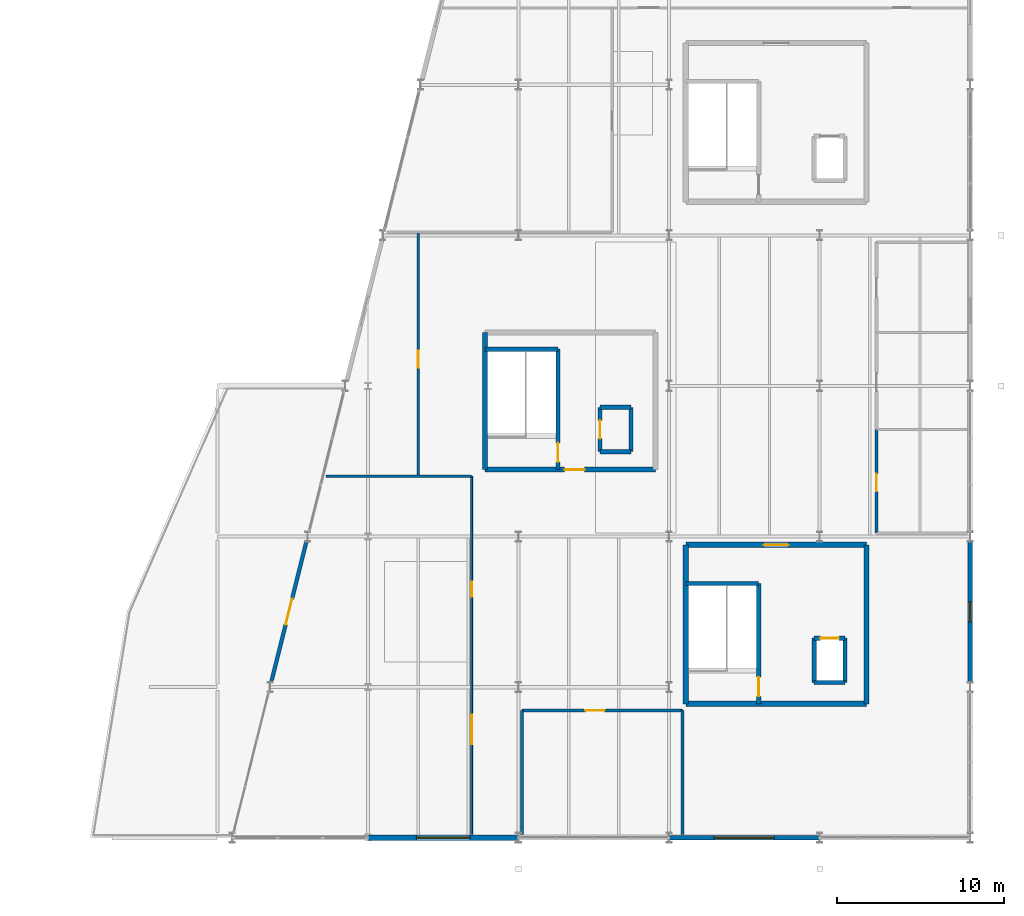
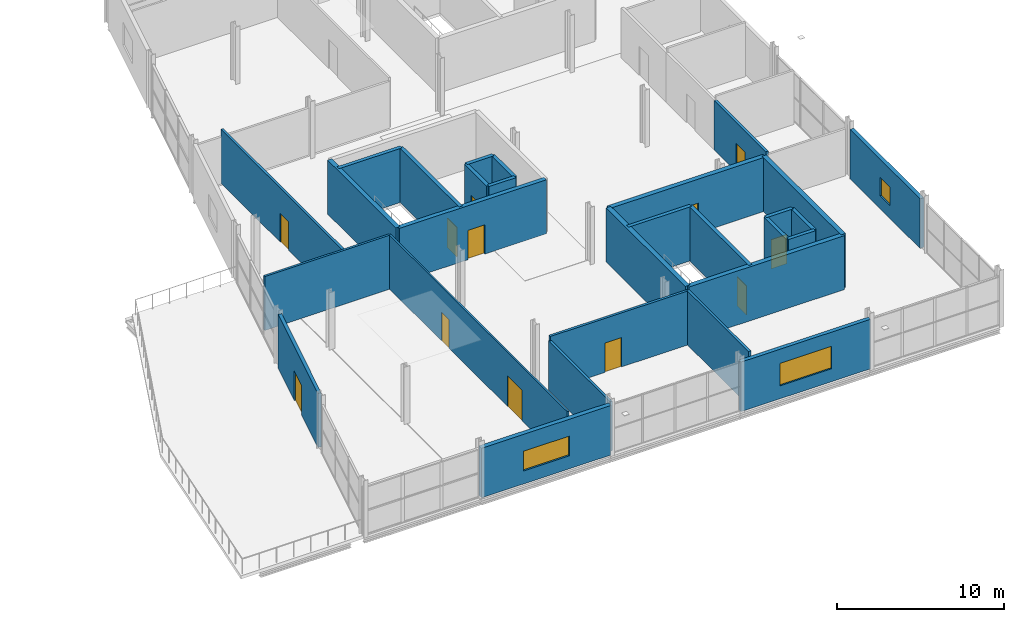
# One storey, part 41 of 44: 29 walls, 12 doors, 3 windows, 15 openings.
"""IFC4 building model written with IfcOpenShell, lengths in metres."""

from ifc_helpers import new_model, si_unit, direction, frame, frame_2d, origin, place, context, subcontext, project, spatial, rectangle, extrude, material, layer, layer_set, type_object, element, fill, save


model = new_model("IFC4")

# Units and contexts
model_context = context("Model", 3, precision=1e-05, world=origin(), true_north=direction((0.0, 1.0)))
body_context = subcontext(model_context, "Body", "Model", "MODEL_VIEW")
ifc_project = project(units=[si_unit("LENGTHUNIT", "METRE"), si_unit("AREAUNIT", "SQUARE_METRE"), si_unit("VOLUMEUNIT", "CUBIC_METRE"), si_unit("PLANEANGLEUNIT", "RADIAN"), si_unit("MASSUNIT", "GRAM", prefix="KILO")], contexts=[model_context])

# Site, building, storey
site_placement = place(None, origin())
site = spatial("IfcSite", under=ifc_project, at=site_placement, CompositionType="ELEMENT")
building_placement = place(site_placement, origin())
building = spatial("IfcBuilding", under=site, at=building_placement, Name="Deido Ridge Mobility Hub", CompositionType="ELEMENT")
storey_placement = place(building_placement, frame((0.0, 0.0, 25.199951171875)))
storey = spatial("IfcBuildingStorey", under=building, at=storey_placement, Name="L06", CompositionType="ELEMENT", Elevation=25.199951171875)

# Wall, opening, door
ifc_material_1 = material(Name="Powder-coated aluminium cladding EN AW-3003", Category="aluminium")
ifc_layer_1 = layer(ifc_material_1, 0.22509765625, Name="Powder-coated aluminium cladding EN AW-3003")
ifc_layer_set_1 = layer_set([ifc_layer_1], Name="Powder-coated aluminium cladding EN AW-3003")
wall_type_1 = type_object("IfcWallType", Name="WL-EXT-ALU-225", PredefinedType="STANDARD", material=ifc_layer_set_1)
wall_1_placement = place(storey_placement, frame((138.2294921875, 9.317626953125, 0.0), z_axis=(0.0, 0.0, 1.0), x_axis=(0.24252230007, 0.97014583129, 0.0)))
wall_1 = element("IfcWall", 1, at=wall_1_placement, inside=storey, type_object=wall_type_1, Name="Exterior wall EW6", PredefinedType="STANDARD", context=body_context, shape_type="SweptSolid", body=[
    extrude(rectangle(XDim=8.6220703125, YDim=0.22509765625, at=frame_2d((4.31103515625, 0.0))), origin(), (0.0, 0.0, 1.0), 3.9599609375),
])
opening_1_placement = place(wall_1_placement, frame((3.510986328125, 0.0, 0.0)))
opening_1 = element("IfcOpeningElement", 2, at=opening_1_placement, cuts=wall_1, Name="Opening TD-L06", PredefinedType="OPENING", context=body_context, shape_type="SweptSolid", body=[
    extrude(rectangle(XDim=1.60009765625, YDim=2.14990234375, at=frame_2d((0.800048828125, 1.074951171875))), frame((0.0, 0.12255859375, 0.0), z_axis=(0.0, -1.0, 0.0), x_axis=(1.0, 0.0, 0.0)), (0.0, 0.0, 1.0), 0.2451171875),
])
ifc_material_2 = material(Name="Anodised aluminium EN AW-6063 T6", Category="aluminium")
door_type_1 = type_object("IfcDoorType", Name="DR-TER-1600X2150", OperationType="DOUBLE_DOOR_SINGLE_SWING", PredefinedType="DOOR", material=ifc_material_2)
door_1_placement = place(opening_1_placement, origin())
door_1 = element("IfcDoor", 3, at=door_1_placement, inside=storey, type_object=door_type_1, Name="DR-E0021 L06 escarpment terrace access door", OperationType="DOUBLE_DOOR_SINGLE_SWING", OverallHeight=2.14990234375, OverallWidth=1.60009765625, PredefinedType="DOOR", context=body_context, shape_type="SweptSolid", body=[
    extrude(rectangle(XDim=1.60009765625, YDim=2.14990234375, at=frame_2d((0.800048828125, 1.074951171875))), frame((0.0, 0.02490234375, 0.0), z_axis=(0.0, -1.0, 0.0), x_axis=(1.0, 0.0, 0.0)), (0.0, 0.0, 1.0), 0.050048828125),
])
fill(opening_1, door_1)

# Wall, opening, window
ifc_material_3 = material(Name="Concrete blockwork masonry", Category="masonry")
ifc_layer_2 = layer(ifc_material_3, 0.264892578125, Name="Concrete blockwork masonry")
ifc_layer_set_2 = layer_set([ifc_layer_2], Name="Concrete blockwork masonry")
wall_type_2 = type_object("IfcWallType", Name="WL-EXT-BLK-265", PredefinedType="STANDARD", material=ifc_layer_set_2)
wall_2_placement = place(storey_placement, frame((162.0078125, 0.0, 0.0), z_axis=(0.0, 0.0, 1.0), x_axis=(1.0, 0.0, 0.0)))
wall_2 = element("IfcWall", 4, at=wall_2_placement, inside=storey, type_object=wall_type_2, Name="Exterior wall EW3", PredefinedType="STANDARD", context=body_context, shape_type="SweptSolid", body=[
    extrude(rectangle(XDim=8.984375, YDim=0.264892578125, at=frame_2d((4.4921875, 0.0))), origin(), (0.0, 0.0, 1.0), 3.635009765625),
])
opening_2_placement = place(wall_2_placement, frame((2.6923828125, 0.0, 0.949951171875)))
opening_2 = element("IfcOpeningElement", 5, at=opening_2_placement, cuts=wall_2, Name="Opening W18", PredefinedType="OPENING", context=body_context, shape_type="SweptSolid", body=[
    extrude(rectangle(XDim=3.60009765625, YDim=1.64990234375, at=frame_2d((1.800048828125, 0.824951171875))), frame((0.0, 0.142578125, 0.0), z_axis=(0.0, -1.0, 0.0), x_axis=(1.0, 0.0, 0.0)), (0.0, 0.0, 1.0), 0.284912109375),
])
ifc_material_4 = material(Name="Laminated solar-control low-E glass", Category="glass")
window_type_1 = type_object("IfcWindowType", Name="WN-ALU-3600X1650", PartitioningType="DOUBLE_PANEL_VERTICAL", PredefinedType="WINDOW", material=ifc_material_4)
window_1_placement = place(opening_2_placement, origin())
window_1 = element("IfcWindow", 6, at=window_1_placement, inside=storey, type_object=window_type_1, Name="Exterior window W18", OverallHeight=1.64990234375, OverallWidth=3.60009765625, PartitioningType="SINGLE_PANEL", PredefinedType="WINDOW", context=body_context, shape_type="SweptSolid", body=[
    extrude(rectangle(XDim=3.60009765625, YDim=1.64990234375, at=frame_2d((1.800048828125, 0.824951171875))), frame((0.0, 0.030029296875, 0.0), z_axis=(0.0, -1.0, 0.0), x_axis=(1.0, 0.0, 0.0)), (0.0, 0.0, 1.0), 0.06005859375),
])
fill(opening_2, window_1)

wall_3_placement = place(storey_placement, frame((180.0, 9.300048828125, 0.0), z_axis=(0.0, 0.0, 1.0), x_axis=(0.0, 1.0, 0.0)))
wall_3 = element("IfcWall", 7, at=wall_3_placement, inside=storey, type_object=wall_type_2, Name="Exterior wall EW3", PredefinedType="STANDARD", context=body_context, shape_type="SweptSolid", body=[
    extrude(rectangle(XDim=8.39990234375, YDim=0.264892578125, at=frame_2d((4.199951171875, 0.0))), origin(), (0.0, 0.0, 1.0), 3.635009765625),
])
opening_3_placement = place(wall_3_placement, frame((3.60009765625, 0.0, 0.949951171875)))
opening_3 = element("IfcOpeningElement", 8, at=opening_3_placement, cuts=wall_3, Name="Opening W3", PredefinedType="OPENING", context=body_context, shape_type="SweptSolid", body=[
    extrude(rectangle(XDim=1.199951171875, YDim=1.35009765625, at=frame_2d((0.60009765625, 0.675048828125))), frame((0.0, 0.142578125, 0.0), z_axis=(0.0, -1.0, 0.0), x_axis=(1.0, 0.0, 0.0)), (0.0, 0.0, 1.0), 0.284912109375),
])
window_type_2 = type_object("IfcWindowType", Name="WN-ALU-1200X1350", PartitioningType="SINGLE_PANEL", PredefinedType="WINDOW", material=ifc_material_4)
window_2_placement = place(opening_3_placement, origin())
window_2 = element("IfcWindow", 9, at=window_2_placement, inside=storey, type_object=window_type_2, Name="Exterior window W3", OverallHeight=1.35009765625, OverallWidth=1.199951171875, PartitioningType="SINGLE_PANEL", PredefinedType="WINDOW", context=body_context, shape_type="SweptSolid", body=[
    extrude(rectangle(XDim=1.199951171875, YDim=1.35009765625, at=frame_2d((0.60009765625, 0.675048828125))), frame((0.0, 0.030029296875, 0.0), z_axis=(0.0, -1.0, 0.0), x_axis=(1.0, 0.0, 0.0)), (0.0, 0.0, 1.0), 0.06005859375),
])
fill(opening_3, window_2)

ifc_material_5 = material(Name="Fired clay brick masonry", Category="masonry")
ifc_layer_3 = layer(ifc_material_5, 0.31005859375, Name="Fired clay brick masonry")
ifc_layer_set_3 = layer_set([ifc_layer_3], Name="Fired clay brick masonry")
wall_type_3 = type_object("IfcWallType", Name="WL-EXT-BRK-310", PredefinedType="STANDARD", material=ifc_layer_set_3)
wall_4_placement = place(storey_placement, frame((144.0087890625, 0.0, 0.0), z_axis=(0.0, 0.0, 1.0), x_axis=(1.0, 0.0, 0.0)))
wall_4 = element("IfcWall", 10, at=wall_4_placement, inside=storey, type_object=wall_type_3, Name="Exterior wall EW1", PredefinedType="STANDARD", context=body_context, shape_type="SweptSolid", body=[
    extrude(rectangle(XDim=8.9833984375, YDim=0.31005859375, at=frame_2d((4.49169921875, 0.0))), origin(), (0.0, 0.0, 1.0), 3.635009765625),
])
opening_4_placement = place(wall_4_placement, frame((2.891845703125, 0.0, 0.949951171875)))
opening_4 = element("IfcOpeningElement", 11, at=opening_4_placement, cuts=wall_4, Name="Opening W16", PredefinedType="OPENING", context=body_context, shape_type="SweptSolid", body=[
    extrude(rectangle(XDim=3.199951171875, YDim=1.449951171875, at=frame_2d((1.60009765625, 0.72509765625))), frame((0.0, 0.1650390625, 0.0), z_axis=(0.0, -1.0, 0.0), x_axis=(1.0, 0.0, 0.0)), (0.0, 0.0, 1.0), 0.330078125),
])
window_type_3 = type_object("IfcWindowType", Name="WN-ALU-3200X1450", PartitioningType="DOUBLE_PANEL_VERTICAL", PredefinedType="WINDOW", material=ifc_material_4)
window_3_placement = place(opening_4_placement, origin())
window_3 = element("IfcWindow", 12, at=window_3_placement, inside=storey, type_object=window_type_3, Name="Exterior window W16", OverallHeight=1.449951171875, OverallWidth=3.199951171875, PartitioningType="SINGLE_PANEL", PredefinedType="WINDOW", context=body_context, shape_type="SweptSolid", body=[
    extrude(rectangle(XDim=3.199951171875, YDim=1.449951171875, at=frame_2d((1.60009765625, 0.72509765625))), frame((0.0, 0.030029296875, 0.0), z_axis=(0.0, -1.0, 0.0), x_axis=(1.0, 0.0, 0.0)), (0.0, 0.0, 1.0), 0.06005859375),
])
fill(opening_4, window_3)

# Wall, openings, doors
ifc_material_6 = material(Name="Treated tropical hardwood timber D40", Category="wood")
ifc_layer_4 = layer(ifc_material_6, 0.114990234375, Name="Treated tropical hardwood timber D40")
ifc_layer_set_4 = layer_set([ifc_layer_4], Name="Treated tropical hardwood timber D40")
wall_type_4 = type_object("IfcWallType", Name="WL-MOV-ACO-115", PredefinedType="MOVABLE", material=ifc_layer_set_4)
wall_5_placement = place(storey_placement, frame((150.199951171875, 0.199951171875, 0.0), z_axis=(0.0, 0.0, 1.0), x_axis=(0.0, 1.0, 0.0)))
wall_5 = element("IfcWall", 13, at=wall_5_placement, inside=storey, type_object=wall_type_4, Name="V6 south-west suite wall (L06)", PredefinedType="MOVABLE", context=body_context, shape_type="SweptSolid", body=[
    extrude(rectangle(XDim=21.400146484375, YDim=0.114990234375, at=frame_2d((10.7001953125, 0.0))), origin(), (0.0, 0.0, 1.0), 3.9599609375),
])
opening_5_placement = place(wall_5_placement, frame((5.39990234375, 0.0, 0.0)))
opening_5 = element("IfcOpeningElement", 14, at=opening_5_placement, cuts=wall_5, Name="Opening DR-L06-193", PredefinedType="OPENING", context=body_context, shape_type="SweptSolid", body=[
    extrude(rectangle(XDim=1.75, YDim=2.25, at=frame_2d((0.875, 1.125))), frame((0.0, 0.0673828125, 0.0), z_axis=(0.0, -1.0, 0.0), x_axis=(1.0, 0.0, 0.0)), (0.0, 0.0, 1.0), 0.135009765625),
])
opening_6_placement = place(wall_5_placement, frame((14.199951171875, 0.0, 0.0)))
opening_6 = element("IfcOpeningElement", 15, at=opening_6_placement, cuts=wall_5, Name="Opening DR-L06-194", PredefinedType="OPENING", context=body_context, shape_type="SweptSolid", body=[
    extrude(rectangle(XDim=0.89990234375, YDim=2.10009765625, at=frame_2d((0.449951171875, 1.050048828125))), frame((0.0, 0.0673828125, 0.0), z_axis=(0.0, -1.0, 0.0), x_axis=(1.0, 0.0, 0.0)), (0.0, 0.0, 1.0), 0.135009765625),
])
door_type_2 = type_object("IfcDoorType", Name="DR-INT-1750X2250", OperationType="DOUBLE_DOOR_SINGLE_SWING", PredefinedType="DOOR", material=ifc_material_6)
door_2_placement = place(opening_5_placement, origin())
door_2 = element("IfcDoor", 16, at=door_2_placement, inside=storey, type_object=door_type_2, Name="DR-I0193 V6 south-west suite door 1 (L06)", OperationType="DOUBLE_DOOR_SINGLE_SWING", OverallHeight=2.25, OverallWidth=1.75, PredefinedType="DOOR", context=body_context, shape_type="SweptSolid", body=[
    extrude(rectangle(XDim=1.75, YDim=2.25, at=frame_2d((0.875, 1.125))), frame((0.0, 0.02490234375, 0.0), z_axis=(0.0, -1.0, 0.0), x_axis=(1.0, 0.0, 0.0)), (0.0, 0.0, 1.0), 0.050048828125),
])
fill(opening_5, door_2)
door_type_3 = type_object("IfcDoorType", Name="DR-INT-900X2100", OperationType="NOTDEFINED", PredefinedType="DOOR", material=ifc_material_6)
door_3_placement = place(opening_6_placement, origin())
door_3 = element("IfcDoor", 17, at=door_3_placement, inside=storey, type_object=door_type_3, Name="DR-I0194 V6 south-west suite door 2 (L06)", OperationType="SINGLE_SWING_LEFT", OverallHeight=2.10009765625, OverallWidth=0.89990234375, PredefinedType="DOOR", context=body_context, shape_type="SweptSolid", body=[
    extrude(rectangle(XDim=0.89990234375, YDim=2.10009765625, at=frame_2d((0.449951171875, 1.050048828125))), frame((0.0, 0.02490234375, 0.0), z_axis=(0.0, -1.0, 0.0), x_axis=(1.0, 0.0, 0.0)), (0.0, 0.0, 1.0), 0.050048828125),
])
fill(opening_6, door_3)

# Wall
ifc_layer_5 = layer(ifc_material_3, 0.14990234375, Name="Concrete blockwork masonry")
ifc_layer_set_5 = layer_set([ifc_layer_5], Name="Concrete blockwork masonry")
wall_type_5 = type_object("IfcWallType", Name="WL-PRT-BLK-150", PredefinedType="PARTITIONING", material=ifc_layer_set_5)
wall_6_placement = place(storey_placement, frame((141.5, 21.60009765625, 0.0), z_axis=(0.0, 0.0, 1.0), x_axis=(1.0, 0.0, 0.0)))
element("IfcWall", 18, at=wall_6_placement, inside=storey, type_object=wall_type_5, Name="V6 south-central cross wall (L06)", PredefinedType="PARTITIONING", context=body_context, shape_type="SweptSolid", body=[
    extrude(rectangle(XDim=8.699951171875, YDim=0.14990234375, at=frame_2d((4.35009765625, 0.0))), origin(), (0.0, 0.0, 1.0), 3.9599609375),
])

# Wall, opening, door
ifc_layer_6 = layer(ifc_material_3, 0.159912109375, Name="Concrete blockwork masonry")
ifc_layer_set_6 = layer_set([ifc_layer_6], Name="Concrete blockwork masonry")
wall_type_6 = type_object("IfcWallType", Name="WL-PRT-BLK-160", PredefinedType="PARTITIONING", material=ifc_layer_set_6)
wall_7_placement = place(storey_placement, frame((147.0, 21.60009765625, 0.0), z_axis=(0.0, 0.0, 1.0), x_axis=(0.0, 1.0, 0.0)))
wall_7 = element("IfcWall", 19, at=wall_7_placement, inside=storey, type_object=wall_type_6, Name="V6 central room wall (L06)", PredefinedType="PARTITIONING", context=body_context, shape_type="SweptSolid", body=[
    extrude(rectangle(XDim=14.599853515625, YDim=0.159912109375, at=frame_2d((7.2998046875, 0.0))), origin(), (0.0, 0.0, 1.0), 3.9599609375),
])
opening_7_placement = place(wall_7_placement, frame((6.5, 0.0, 0.0)))
opening_7 = element("IfcOpeningElement", 20, at=opening_7_placement, cuts=wall_7, Name="Opening DR-L06-195", PredefinedType="OPENING", context=body_context, shape_type="SweptSolid", body=[
    extrude(rectangle(XDim=1.0, YDim=2.10009765625, at=frame_2d((0.5, 1.050048828125))), frame((0.0, 0.08984375, 0.0), z_axis=(0.0, -1.0, 0.0), x_axis=(1.0, 0.0, 0.0)), (0.0, 0.0, 1.0), 0.179931640625),
])
door_type_4 = type_object("IfcDoorType", Name="DR-INT-1000X2100", OperationType="NOTDEFINED", PredefinedType="DOOR", material=ifc_material_6)
door_4_placement = place(opening_7_placement, origin())
door_4 = element("IfcDoor", 21, at=door_4_placement, inside=storey, type_object=door_type_4, Name="DR-I0195 V6 central room door (L06)", OperationType="SINGLE_SWING_RIGHT", OverallHeight=2.10009765625, OverallWidth=1.0, PredefinedType="DOOR", context=body_context, shape_type="SweptSolid", body=[
    extrude(rectangle(XDim=1.0, YDim=2.10009765625, at=frame_2d((0.5, 1.050048828125))), frame((0.0, 0.02490234375, 0.0), z_axis=(0.0, -1.0, 0.0), x_axis=(1.0, 0.0, 0.0)), (0.0, 0.0, 1.0), 0.050048828125),
])
fill(opening_7, door_4)

ifc_layer_7 = layer(ifc_material_3, 0.169921875, Name="Concrete blockwork masonry")
ifc_layer_set_7 = layer_set([ifc_layer_7], Name="Concrete blockwork masonry")
wall_type_7 = type_object("IfcWallType", Name="WL-PRT-BLK-170", PredefinedType="PARTITIONING", material=ifc_layer_set_7)
wall_8_placement = place(storey_placement, frame((153.199951171875, 7.60009765625, 0.0), z_axis=(0.0, 0.0, 1.0), x_axis=(1.0, 0.0, 0.0)))
wall_8 = element("IfcWall", 22, at=wall_8_placement, inside=storey, type_object=wall_type_7, Name="L06 south room corridor wall", PredefinedType="PARTITIONING", context=body_context, shape_type="SweptSolid", body=[
    extrude(rectangle(XDim=9.60009765625, YDim=0.169921875, at=frame_2d((4.800048828125, 0.0))), origin(), (0.0, 0.0, 1.0), 3.9599609375),
])
opening_8_placement = place(wall_8_placement, frame((3.800048828125, 0.0, 0.0)))
opening_8 = element("IfcOpeningElement", 23, at=opening_8_placement, cuts=wall_8, Name="Opening DR-L06-189", PredefinedType="OPENING", context=body_context, shape_type="SweptSolid", body=[
    extrude(rectangle(XDim=1.14990234375, YDim=2.14990234375, at=frame_2d((0.574951171875, 1.074951171875))), frame((0.0, 0.094970703125, 0.0), z_axis=(0.0, -1.0, 0.0), x_axis=(1.0, 0.0, 0.0)), (0.0, 0.0, 1.0), 0.18994140625),
])
ifc_material_7 = material(Name="Galvanised steel work", Category="steel")
door_type_5 = type_object("IfcDoorType", Name="DR-FD60-1150X2150", OperationType="NOTDEFINED", PredefinedType="DOOR", material=ifc_material_7)
door_5_placement = place(opening_8_placement, origin())
door_5 = element("IfcDoor", 24, at=door_5_placement, inside=storey, type_object=door_type_5, Name="DR-I0189 Boardroom door", OperationType="SINGLE_SWING_LEFT", OverallHeight=2.14990234375, OverallWidth=1.14990234375, PredefinedType="DOOR", context=body_context, shape_type="SweptSolid", body=[
    extrude(rectangle(XDim=1.14990234375, YDim=2.14990234375, at=frame_2d((0.574951171875, 1.074951171875))), frame((0.0, 0.02490234375, 0.0), z_axis=(0.0, -1.0, 0.0), x_axis=(1.0, 0.0, 0.0)), (0.0, 0.0, 1.0), 0.050048828125),
])
fill(opening_8, door_5)

# Walls
wall_9_placement = place(storey_placement, frame((153.199951171875, 0.199951171875, 0.0), z_axis=(0.0, 0.0, 1.0), x_axis=(0.0, 1.0, 0.0)))
element("IfcWall", 25, at=wall_9_placement, inside=storey, type_object=wall_type_7, Name="L06 south room west wall", PredefinedType="PARTITIONING", context=body_context, shape_type="SweptSolid", body=[
    extrude(rectangle(XDim=7.400146484375, YDim=0.169921875, at=frame_2d((3.7001953125, 0.0))), origin(), (0.0, 0.0, 1.0), 3.635009765625),
])
wall_10_placement = place(storey_placement, frame((162.800048828125, 0.199951171875, 0.0), z_axis=(0.0, 0.0, 1.0), x_axis=(0.0, 1.0, 0.0)))
element("IfcWall", 26, at=wall_10_placement, inside=storey, type_object=wall_type_7, Name="L06 south room east wall", PredefinedType="PARTITIONING", context=body_context, shape_type="SweptSolid", body=[
    extrude(rectangle(XDim=7.400146484375, YDim=0.169921875, at=frame_2d((3.7001953125, 0.0))), origin(), (0.0, 0.0, 1.0), 3.9599609375),
])

# Wall, opening, door
ifc_layer_8 = layer(ifc_material_3, 0.179931640625, Name="Concrete blockwork masonry")
ifc_layer_set_8 = layer_set([ifc_layer_8], Name="Concrete blockwork masonry")
wall_type_8 = type_object("IfcWallType", Name="WL-PRT-BLK-180", PredefinedType="PARTITIONING", material=ifc_layer_set_8)
wall_11_placement = place(storey_placement, frame((174.39990234375, 18.199951171875, 0.0), z_axis=(0.0, 0.0, 1.0), x_axis=(0.0, 1.0, 0.0)))
wall_11 = element("IfcWall", 27, at=wall_11_placement, inside=storey, type_object=wall_type_8, Name="Male WC west wall (L06)", PredefinedType="PARTITIONING", context=body_context, shape_type="SweptSolid", body=[
    extrude(rectangle(XDim=6.199951171875, YDim=0.179931640625, at=frame_2d((3.10009765625, 0.0))), origin(), (0.0, 0.0, 1.0), 3.635009765625),
])
opening_9_placement = place(wall_11_placement, frame((2.5, 0.0, 0.0)))
opening_9 = element("IfcOpeningElement", 28, at=opening_9_placement, cuts=wall_11, Name="Opening DR-L06-190", PredefinedType="OPENING", context=body_context, shape_type="SweptSolid", body=[
    extrude(rectangle(XDim=1.050048828125, YDim=2.10009765625, at=frame_2d((0.52490234375, 1.050048828125))), frame((0.0, 0.10009765625, 0.0), z_axis=(0.0, -1.0, 0.0), x_axis=(1.0, 0.0, 0.0)), (0.0, 0.0, 1.0), 0.199951171875),
])
door_type_6 = type_object("IfcDoorType", Name="DR-FD60-1050X2100", OperationType="NOTDEFINED", PredefinedType="DOOR", material=ifc_material_7)
door_6_placement = place(opening_9_placement, origin())
door_6 = element("IfcDoor", 29, at=door_6_placement, inside=storey, type_object=door_type_6, Name="DR-I0190 Male WC door (L06)", OperationType="SINGLE_SWING_RIGHT", OverallHeight=2.10009765625, OverallWidth=1.050048828125, PredefinedType="DOOR", context=body_context, shape_type="SweptSolid", body=[
    extrude(rectangle(XDim=1.050048828125, YDim=2.10009765625, at=frame_2d((0.52490234375, 1.050048828125))), frame((0.0, 0.02490234375, 0.0), z_axis=(0.0, -1.0, 0.0), x_axis=(1.0, 0.0, 0.0)), (0.0, 0.0, 1.0), 0.050048828125),
])
fill(opening_9, door_6)

ifc_material_8 = material(Name="Concrete C40/50", Category="concrete")
ifc_layer_9 = layer(ifc_material_8, 0.25, Name="Concrete C40/50")
ifc_layer_set_9 = layer_set([ifc_layer_9], Name="Concrete C40/50")
wall_type_9 = type_object("IfcWallType", Name="WL-SHR-RC-250", PredefinedType="SHEAR", material=ifc_layer_set_9)
wall_12_placement = place(storey_placement, frame((167.360107421875, 8.0, 0.0), z_axis=(0.0, 0.0, 1.0), x_axis=(0.0, 1.0, 0.0)))
wall_12 = element("IfcWall", 30, at=wall_12_placement, inside=storey, type_object=wall_type_9, Name="C1 stair shaft east wall", PredefinedType="SHEAR", context=body_context, shape_type="SweptSolid", body=[
    extrude(rectangle(XDim=7.199951171875, YDim=0.25, at=frame_2d((3.60009765625, 0.0))), origin(), (0.0, 0.0, 1.0), 3.9599609375),
])
opening_10_placement = place(wall_12_placement, frame((0.449951171875, 0.0, 0.0)))
opening_10 = element("IfcOpeningElement", 31, at=opening_10_placement, cuts=wall_12, Name="Opening FD-C1-L06", PredefinedType="OPENING", context=body_context, shape_type="SweptSolid", body=[
    extrude(rectangle(XDim=1.14990234375, YDim=2.14990234375, at=frame_2d((0.574951171875, 1.074951171875))), frame((0.0, 0.135009765625, 0.0), z_axis=(0.0, -1.0, 0.0), x_axis=(1.0, 0.0, 0.0)), (0.0, 0.0, 1.0), 0.27001953125),
])
door_7_placement = place(opening_10_placement, origin())
door_7 = element("IfcDoor", 32, at=door_7_placement, inside=storey, type_object=door_type_5, Name="DR-I0022 C1 protected stair door (L06)", OperationType="SINGLE_SWING_RIGHT", OverallHeight=2.14990234375, OverallWidth=1.14990234375, PredefinedType="DOOR", context=body_context, shape_type="SweptSolid", body=[
    extrude(rectangle(XDim=1.14990234375, YDim=2.14990234375, at=frame_2d((0.574951171875, 1.074951171875))), frame((0.0, 0.02490234375, 0.0), z_axis=(0.0, -1.0, 0.0), x_axis=(1.0, 0.0, 0.0)), (0.0, 0.0, 1.0), 0.050048828125),
])
fill(opening_10, door_7)

# Walls
wall_13_placement = place(storey_placement, frame((163.0, 15.199951171875, 0.0), z_axis=(0.0, 0.0, 1.0), x_axis=(1.0, 0.0, 0.0)))
element("IfcWall", 33, at=wall_13_placement, inside=storey, type_object=wall_type_9, Name="C1 stair shaft north wall", PredefinedType="SHEAR", context=body_context, shape_type="SweptSolid", body=[
    extrude(rectangle(XDim=4.360107421875, YDim=0.25, at=frame_2d((2.18017578125, 0.0))), origin(), (0.0, 0.0, 1.0), 3.9599609375),
])
wall_14_placement = place(storey_placement, frame((170.675048828125, 9.27490234375, 0.0), z_axis=(0.0, 0.0, 1.0), x_axis=(1.0, 0.0, 0.0)))
element("IfcWall", 34, at=wall_14_placement, inside=storey, type_object=wall_type_9, Name="Lift FL1 rear shaft wall", PredefinedType="SHEAR", context=body_context, shape_type="SweptSolid", body=[
    extrude(rectangle(XDim=1.849853515625, YDim=0.25, at=frame_2d((0.9248046875, 0.0))), origin(), (0.0, 0.0, 1.0), 3.9599609375),
])
for number, where, z_axis, x_axis, name in (
    (35, (170.675048828125, 9.27490234375, 0.0), (0.0, 0.0, 1.0), (0.0, 1.0, 0.0), "Lift FL1 west shaft wall"),
    (36, (172.52490234375, 9.27490234375, 0.0), (0.0, 0.0, 1.0), (0.0, 1.0, 0.0), "Lift FL1 east shaft wall"),
):
    element("IfcWall", number, at=place(storey_placement, frame(where, z_axis=z_axis, x_axis=x_axis)), inside=storey, type_object=wall_type_9, Name=name, PredefinedType="SHEAR", context=body_context, shape_type="SweptSolid", body=[
        extrude(rectangle(XDim=2.650146484375, YDim=0.25, at=frame_2d((1.3251953125, 0.0))), origin(), (0.0, 0.0, 1.0), 3.9599609375),
    ])

# Wall, opening, door
wall_15_placement = place(storey_placement, frame((170.675048828125, 11.925048828125, 0.0), z_axis=(0.0, 0.0, 1.0), x_axis=(1.0, 0.0, 0.0)))
wall_15 = element("IfcWall", 37, at=wall_15_placement, inside=storey, type_object=wall_type_9, Name="Lift FL1 landing wall", PredefinedType="SHEAR", context=body_context, shape_type="SweptSolid", body=[
    extrude(rectangle(XDim=1.849853515625, YDim=0.25, at=frame_2d((0.9248046875, 0.0))), origin(), (0.0, 0.0, 1.0), 3.9599609375),
])
opening_11_placement = place(wall_15_placement, frame((0.375, 0.0, 0.0)))
opening_11 = element("IfcOpeningElement", 38, at=opening_11_placement, cuts=wall_15, Name="Opening LD-FL1", PredefinedType="OPENING", context=body_context, shape_type="SweptSolid", body=[
    extrude(rectangle(XDim=1.10009765625, YDim=2.14990234375, at=frame_2d((0.550048828125, 1.074951171875))), frame((0.0, 0.135009765625, 0.0), z_axis=(0.0, -1.0, 0.0), x_axis=(1.0, 0.0, 0.0)), (0.0, 0.0, 1.0), 0.27001953125),
])
ifc_material_9 = material(Name="Stainless steel 316", Category="steel")
door_type_7 = type_object("IfcDoorType", Name="DR-LND-PAS-1100X2150", OperationType="DOUBLE_DOOR_SLIDING", PredefinedType="USERDEFINED", material=ifc_material_9)
door_8_placement = place(opening_11_placement, origin())
door_8 = element("IfcDoor", 39, at=door_8_placement, inside=storey, type_object=door_type_7, Name="DR-I0024 Lift FL1 sliding landing door (L06)", ObjectType="LANDING DOOR", OperationType="DOUBLE_DOOR_SLIDING", OverallHeight=2.14990234375, OverallWidth=1.10009765625, PredefinedType="USERDEFINED", context=body_context, shape_type="SweptSolid", body=[
    extrude(rectangle(XDim=1.10009765625, YDim=2.14990234375, at=frame_2d((0.550048828125, 1.074951171875))), frame((0.0, 0.02490234375, 0.0), z_axis=(0.0, -1.0, 0.0), x_axis=(1.0, 0.0, 0.0)), (0.0, 0.0, 1.0), 0.050048828125),
])
fill(opening_11, door_8)

wall_16_placement = place(storey_placement, frame((155.360107421875, 22.0, 0.0), z_axis=(0.0, 0.0, 1.0), x_axis=(0.0, 1.0, 0.0)))
wall_16 = element("IfcWall", 40, at=wall_16_placement, inside=storey, type_object=wall_type_9, Name="C3 stair shaft east wall", PredefinedType="SHEAR", context=body_context, shape_type="SweptSolid", body=[
    extrude(rectangle(XDim=7.199951171875, YDim=0.25, at=frame_2d((3.60009765625, 0.0))), origin(), (0.0, 0.0, 1.0), 3.9599609375),
])
opening_12_placement = place(wall_16_placement, frame((0.449951171875, 0.0, 0.0)))
opening_12 = element("IfcOpeningElement", 41, at=opening_12_placement, cuts=wall_16, Name="Opening FD-C3-L06", PredefinedType="OPENING", context=body_context, shape_type="SweptSolid", body=[
    extrude(rectangle(XDim=1.14990234375, YDim=2.14990234375, at=frame_2d((0.574951171875, 1.074951171875))), frame((0.0, 0.135009765625, 0.0), z_axis=(0.0, -1.0, 0.0), x_axis=(1.0, 0.0, 0.0)), (0.0, 0.0, 1.0), 0.27001953125),
])
door_9_placement = place(opening_12_placement, origin())
door_9 = element("IfcDoor", 42, at=door_9_placement, inside=storey, type_object=door_type_5, Name="DR-I0076 C3 protected stair door (L06)", OperationType="SINGLE_SWING_LEFT", OverallHeight=2.14990234375, OverallWidth=1.14990234375, PredefinedType="DOOR", context=body_context, shape_type="SweptSolid", body=[
    extrude(rectangle(XDim=1.14990234375, YDim=2.14990234375, at=frame_2d((0.574951171875, 1.074951171875))), frame((0.0, 0.02490234375, 0.0), z_axis=(0.0, -1.0, 0.0), x_axis=(1.0, 0.0, 0.0)), (0.0, 0.0, 1.0), 0.050048828125),
])
fill(opening_12, door_9)

# Walls
wall_17_placement = place(storey_placement, frame((151.0, 29.199951171875, 0.0), z_axis=(0.0, 0.0, 1.0), x_axis=(1.0, 0.0, 0.0)))
element("IfcWall", 43, at=wall_17_placement, inside=storey, type_object=wall_type_9, Name="C3 stair shaft north wall", PredefinedType="SHEAR", context=body_context, shape_type="SweptSolid", body=[
    extrude(rectangle(XDim=4.360107421875, YDim=0.25, at=frame_2d((2.18017578125, 0.0))), origin(), (0.0, 0.0, 1.0), 3.9599609375),
])
for number, where, z_axis, x_axis, name in (
    (44, (157.875, 23.074951171875, 0.0), (0.0, 0.0, 1.0), (1.0, 0.0, 0.0), "Lift PL1 south shaft wall"),
    (45, (157.875, 25.72509765625, 0.0), (0.0, 0.0, 1.0), (1.0, 0.0, 0.0), "Lift PL1 north shaft wall"),
):
    element("IfcWall", number, at=place(storey_placement, frame(where, z_axis=z_axis, x_axis=x_axis)), inside=storey, type_object=wall_type_9, Name=name, PredefinedType="SHEAR", context=body_context, shape_type="SweptSolid", body=[
        extrude(rectangle(XDim=1.85009765625, YDim=0.25, at=frame_2d((0.925048828125, 0.0))), origin(), (0.0, 0.0, 1.0), 3.9599609375),
    ])
wall_18_placement = place(storey_placement, frame((159.72509765625, 23.074951171875, 0.0), z_axis=(0.0, 0.0, 1.0), x_axis=(0.0, 1.0, 0.0)))
element("IfcWall", 46, at=wall_18_placement, inside=storey, type_object=wall_type_9, Name="Lift PL1 rear shaft wall", PredefinedType="SHEAR", context=body_context, shape_type="SweptSolid", body=[
    extrude(rectangle(XDim=2.650146484375, YDim=0.25, at=frame_2d((1.3251953125, 0.0))), origin(), (0.0, 0.0, 1.0), 3.9599609375),
])

# Wall, opening, door
wall_19_placement = place(storey_placement, frame((157.875, 23.074951171875, 0.0), z_axis=(0.0, 0.0, 1.0), x_axis=(0.0, 1.0, 0.0)))
wall_19 = element("IfcWall", 47, at=wall_19_placement, inside=storey, type_object=wall_type_9, Name="Lift PL1 landing wall", PredefinedType="SHEAR", context=body_context, shape_type="SweptSolid", body=[
    extrude(rectangle(XDim=2.650146484375, YDim=0.25, at=frame_2d((1.3251953125, 0.0))), origin(), (0.0, 0.0, 1.0), 3.9599609375),
])
opening_13_placement = place(wall_19_placement, frame((0.77490234375, 0.0, 0.0)))
opening_13 = element("IfcOpeningElement", 48, at=opening_13_placement, cuts=wall_19, Name="Opening LD-PL1", PredefinedType="OPENING", context=body_context, shape_type="SweptSolid", body=[
    extrude(rectangle(XDim=1.10009765625, YDim=2.14990234375, at=frame_2d((0.550048828125, 1.074951171875))), frame((0.0, 0.135009765625, 0.0), z_axis=(0.0, -1.0, 0.0), x_axis=(1.0, 0.0, 0.0)), (0.0, 0.0, 1.0), 0.27001953125),
])
door_10_placement = place(opening_13_placement, origin())
door_10 = element("IfcDoor", 49, at=door_10_placement, inside=storey, type_object=door_type_7, Name="DR-I0078 Lift PL1 sliding landing door (L06)", ObjectType="LANDING DOOR", OperationType="DOUBLE_DOOR_SLIDING", OverallHeight=2.14990234375, OverallWidth=1.10009765625, PredefinedType="USERDEFINED", context=body_context, shape_type="SweptSolid", body=[
    extrude(rectangle(XDim=1.10009765625, YDim=2.14990234375, at=frame_2d((0.550048828125, 1.074951171875))), frame((0.0, 0.02490234375, 0.0), z_axis=(0.0, -1.0, 0.0), x_axis=(1.0, 0.0, 0.0)), (0.0, 0.0, 1.0), 0.050048828125),
])
fill(opening_13, door_10)

ifc_layer_10 = layer(ifc_material_8, 0.300048828125, Name="Concrete C40/50")
ifc_layer_set_10 = layer_set([ifc_layer_10], Name="Concrete C40/50")
wall_type_10 = type_object("IfcWallType", Name="WL-SHR-RC-300", PredefinedType="SHEAR", material=ifc_layer_set_10)
wall_20_placement = place(storey_placement, frame((151.0, 22.0, 0.0), z_axis=(0.0, 0.0, 1.0), x_axis=(1.0, 0.0, 0.0)))
wall_20 = element("IfcWall", 50, at=wall_20_placement, inside=storey, type_object=wall_type_10, Name="C3 south shear wall", PredefinedType="SHEAR", context=body_context, shape_type="SweptSolid", body=[
    extrude(rectangle(XDim=10.199951171875, YDim=0.300048828125, at=frame_2d((5.10009765625, 0.0))), origin(), (0.0, 0.0, 1.0), 3.9599609375),
])
opening_14_placement = place(wall_20_placement, frame((4.75, 0.0, 0.0)))
opening_14 = element("IfcOpeningElement", 51, at=opening_14_placement, cuts=wall_20, Name="Opening LD-C3-077", PredefinedType="OPENING", context=body_context, shape_type="SweptSolid", body=[
    extrude(rectangle(XDim=1.199951171875, YDim=2.14990234375, at=frame_2d((0.60009765625, 1.074951171875))), frame((0.0, 0.16015625, 0.0), z_axis=(0.0, -1.0, 0.0), x_axis=(1.0, 0.0, 0.0)), (0.0, 0.0, 1.0), 0.320068359375),
])
door_type_8 = type_object("IfcDoorType", Name="DR-FD60-1200X2150", OperationType="NOTDEFINED", PredefinedType="DOOR", material=ifc_material_7)
door_11_placement = place(opening_14_placement, origin())
door_11 = element("IfcDoor", 52, at=door_11_placement, inside=storey, type_object=door_type_8, Name="DR-I0077 C3 lift lobby door (L06)", OperationType="SINGLE_SWING_RIGHT", OverallHeight=2.14990234375, OverallWidth=1.199951171875, PredefinedType="DOOR", context=body_context, shape_type="SweptSolid", body=[
    extrude(rectangle(XDim=1.199951171875, YDim=2.14990234375, at=frame_2d((0.60009765625, 1.074951171875))), frame((0.0, 0.02490234375, 0.0), z_axis=(0.0, -1.0, 0.0), x_axis=(1.0, 0.0, 0.0)), (0.0, 0.0, 1.0), 0.050048828125),
])
fill(opening_14, door_11)

# Walls
wall_21_placement = place(storey_placement, frame((151.0, 30.199951171875, 0.0), z_axis=(0.0, 0.0, 1.0), x_axis=(0.0, -1.0, 0.0)))
element("IfcWall", 53, at=wall_21_placement, inside=storey, type_object=wall_type_10, Name="C3 west shear wall", PredefinedType="SHEAR", context=body_context, shape_type="SweptSolid", body=[
    extrude(rectangle(XDim=8.199951171875, YDim=0.300048828125, at=frame_2d((4.10009765625, 0.0))), origin(), (0.0, 0.0, 1.0), 3.9599609375),
])
ifc_layer_11 = layer(ifc_material_8, 0.324951171875, Name="Concrete C40/50")
ifc_layer_set_11 = layer_set([ifc_layer_11], Name="Concrete C40/50")
wall_type_11 = type_object("IfcWallType", Name="WL-SHR-RC-325", PredefinedType="SHEAR", material=ifc_layer_set_11)
wall_22_placement = place(storey_placement, frame((163.0, 8.0, 0.0), z_axis=(0.0, 0.0, 1.0), x_axis=(1.0, 0.0, 0.0)))
element("IfcWall", 54, at=wall_22_placement, inside=storey, type_object=wall_type_11, Name="C1 south shear wall", PredefinedType="SHEAR", context=body_context, shape_type="SweptSolid", body=[
    extrude(rectangle(XDim=10.800048828125, YDim=0.324951171875, at=frame_2d((5.39990234375, 0.0))), origin(), (0.0, 0.0, 1.0), 3.9599609375),
])
wall_23_placement = place(storey_placement, frame((173.800048828125, 8.0, 0.0), z_axis=(0.0, 0.0, 1.0), x_axis=(0.0, 1.0, 0.0)))
element("IfcWall", 55, at=wall_23_placement, inside=storey, type_object=wall_type_11, Name="C1 east shear wall", PredefinedType="SHEAR", context=body_context, shape_type="SweptSolid", body=[
    extrude(rectangle(XDim=9.5, YDim=0.324951171875, at=frame_2d((4.75, 0.0))), origin(), (0.0, 0.0, 1.0), 3.9599609375),
])

# Wall, opening, door
wall_24_placement = place(storey_placement, frame((173.800048828125, 17.5, 0.0), z_axis=(0.0, 0.0, 1.0), x_axis=(-1.0, 0.0, 0.0)))
wall_24 = element("IfcWall", 56, at=wall_24_placement, inside=storey, type_object=wall_type_11, Name="C1 north shear wall", PredefinedType="SHEAR", context=body_context, shape_type="SweptSolid", body=[
    extrude(rectangle(XDim=10.800048828125, YDim=0.324951171875, at=frame_2d((5.39990234375, 0.0))), origin(), (0.0, 0.0, 1.0), 3.9599609375),
])
opening_15_placement = place(wall_24_placement, frame((4.64990234375, 0.0, 0.0)))
opening_15 = element("IfcOpeningElement", 57, at=opening_15_placement, cuts=wall_24, Name="Opening LD-C1-023", PredefinedType="OPENING", context=body_context, shape_type="SweptSolid", body=[
    extrude(rectangle(XDim=1.5, YDim=2.199951171875, at=frame_2d((0.75, 1.10009765625))), frame((0.0, 0.17236328125, 0.0), z_axis=(0.0, -1.0, 0.0), x_axis=(1.0, 0.0, 0.0)), (0.0, 0.0, 1.0), 0.344970703125),
])
door_type_9 = type_object("IfcDoorType", Name="DR-FD60-1500X2200", OperationType="DOUBLE_DOOR_SINGLE_SWING", PredefinedType="DOOR", material=ifc_material_7)
door_12_placement = place(opening_15_placement, origin())
door_12 = element("IfcDoor", 58, at=door_12_placement, inside=storey, type_object=door_type_9, Name="DR-I0023 C1 firefighting lobby door (L06)", OperationType="DOUBLE_DOOR_SINGLE_SWING", OverallHeight=2.199951171875, OverallWidth=1.5, PredefinedType="DOOR", context=body_context, shape_type="SweptSolid", body=[
    extrude(rectangle(XDim=1.5, YDim=2.199951171875, at=frame_2d((0.75, 1.10009765625))), frame((0.0, 0.02490234375, 0.0), z_axis=(0.0, -1.0, 0.0), x_axis=(1.0, 0.0, 0.0)), (0.0, 0.0, 1.0), 0.050048828125),
])
fill(opening_15, door_12)

# Wall
wall_25_placement = place(storey_placement, frame((163.0, 17.5, 0.0), z_axis=(0.0, 0.0, 1.0), x_axis=(0.0, -1.0, 0.0)))
element("IfcWall", 59, at=wall_25_placement, inside=storey, type_object=wall_type_11, Name="C1 west shear wall", PredefinedType="SHEAR", context=body_context, shape_type="SweptSolid", body=[
    extrude(rectangle(XDim=9.5, YDim=0.324951171875, at=frame_2d((4.75, 0.0))), origin(), (0.0, 0.0, 1.0), 3.9599609375),
])

save(model, "model.ifc")
